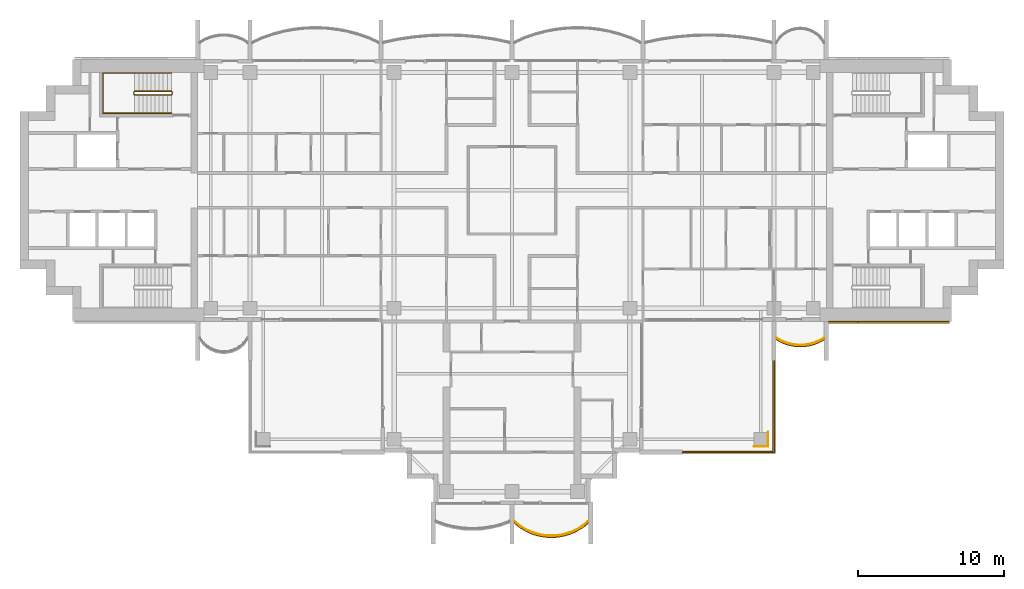
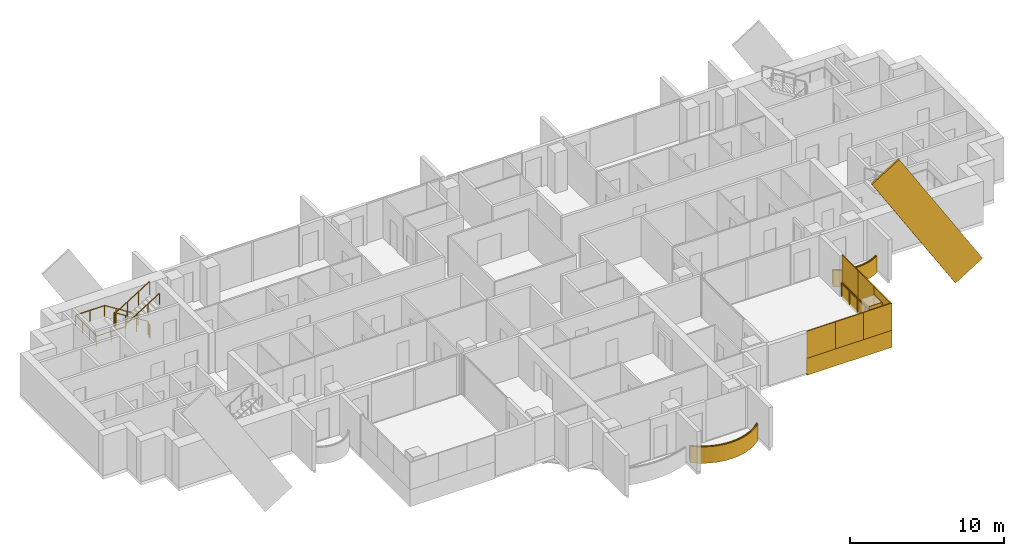
# One storey, part 16 of 18: 12 coverings, 5 railings.
"""IFC4 building model written with IfcOpenShell, lengths in metres."""

from ifc_helpers import new_model, si_unit, direction, frame, origin, origin_2d, place, context, subcontext, project, spatial, polyline, rectangle, outline, extrude, material, layer, layer_set, material_profile, profile_set, type_object, element, save


model = new_model("IFC4")

# Units and contexts
model_context = context("Model", 3, precision=1e-05, world=origin(), true_north=direction((0.0, 1.0)))
body_context = subcontext(model_context, "Body", "Model", "MODEL_VIEW")
ifc_project = project(units=[si_unit("LENGTHUNIT", "METRE"), si_unit("AREAUNIT", "SQUARE_METRE"), si_unit("VOLUMEUNIT", "CUBIC_METRE"), si_unit("PLANEANGLEUNIT", "RADIAN"), si_unit("MASSUNIT", "GRAM", prefix="KILO")], contexts=[model_context])

# Site, building, storey
site_placement = place(None, origin())
site = spatial("IfcSite", under=ifc_project, at=site_placement, CompositionType="ELEMENT")
building_placement = place(site_placement, origin())
building = spatial("IfcBuilding", under=site, at=building_placement, Name="Perihelion Cross Residences", CompositionType="ELEMENT")
storey_placement = place(building_placement, frame((0.0, 0.0, 219.10009765625)))
storey = spatial("IfcBuildingStorey", under=building, at=storey_placement, Name="L55", CompositionType="ELEMENT", Elevation=219.10009765625)

# Coverings
ifc_material_1 = material(Name="Bronze anodised aluminium", Category="aluminium")
ifc_layer_1 = layer(ifc_material_1, 0.070068359375)
ifc_layer_set_1 = layer_set([ifc_layer_1], Name="Balcony fascia 1300")
covering_type_1 = type_object("IfcCoveringType", Name="Balcony fascia 1300", PredefinedType="CLADDING", material=ifc_layer_set_1)
covering_1_placement = place(storey_placement, frame((0.0, 0.0, -0.2001953125)))
element("IfcCovering", 1, at=covering_1_placement, inside=storey, type_object=covering_type_1, Name="Fascia BF1 L55 south tip south bay 2", PredefinedType="CLADDING", context=body_context, shape_type="SweptSolid", body=[
    extrude(outline(polyline([(0.53515625, -23.197509765625), (0.96826171875, -23.455078125), (1.401123046875, -23.642578125), (1.833984375, -23.7705078125), (2.26708984375, -23.845458984375), (2.699951171875, -23.8701171875), (3.133056640625, -23.845458984375), (3.56591796875, -23.7705078125), (3.998779296875, -23.642578125), (4.431884765625, -23.455078125), (4.86474609375, -23.197509765625), (5.25, -22.8896484375), (5.25, -22.800048828125), (4.824951171875, -23.14013671875), (4.39990234375, -23.392578125), (3.97509765625, -23.57666015625), (3.550048828125, -23.702392578125), (3.125, -23.77587890625), (2.699951171875, -23.800048828125), (2.27490234375, -23.77587890625), (1.85009765625, -23.702392578125), (1.425048828125, -23.57666015625), (1.0, -23.392578125), (0.574951171875, -23.14013671875), (0.14990234375, -22.800048828125), (0.14990234375, -22.8896484375), (0.53515625, -23.197509765625)])), origin(), (0.0, 0.0, 1.0), 1.300048828125),
])
covering_2_placement = place(storey_placement, frame((0.0, 0.0, -0.2001953125)))
element("IfcCovering", 2, at=covering_2_placement, inside=storey, type_object=covering_type_1, Name="Fascia BF1 L55 east side south bay 2", PredefinedType="CLADDING", context=body_context, shape_type="SweptSolid", body=[
    extrude(outline(polyline([(18.486328125, -10.4716796875), (18.861572265625, -10.62158203125), (19.237060546875, -10.717529296875), (19.6123046875, -10.76416015625), (19.987548828125, -10.76416015625), (20.363037109375, -10.717529296875), (20.73828125, -10.62158203125), (21.11376953125, -10.4716796875), (21.449951171875, -10.280517578125), (21.449951171875, -10.199951171875), (21.083251953125, -10.40869140625), (20.716552734375, -10.55517578125), (20.35009765625, -10.648681640625), (19.9833984375, -10.6943359375), (19.61669921875, -10.6943359375), (19.25, -10.648681640625), (18.88330078125, -10.55517578125), (18.5166015625, -10.40869140625), (18.14990234375, -10.199951171875), (18.14990234375, -10.280517578125), (18.486328125, -10.4716796875)])), origin(), (0.0, 0.0, 1.0), 1.300048828125),
])

# Railings
ifc_material_2 = material(Name="Bronze anodised aluminium", Category="aluminium")
railing_type_1 = type_object("IfcRailingType", Name="Balcony guard 1100", PredefinedType="GUARDRAIL", material=ifc_material_2)
railing_1_placement = place(storey_placement, frame((0.175048828125, -22.739990234375, 0.0)))
element("IfcRailing", 3, at=railing_1_placement, inside=storey, type_object=railing_type_1, Name="Guard GU1 L55 south tip south bay 2 balcony", PredefinedType="GUARDRAIL", context=body_context, shape_type="SweptSolid", body=[
    extrude(rectangle(XDim=0.048095703125, YDim=0.048095703125, at=origin_2d()), frame((0.0, 0.0, 1.076171875), z_axis=(0.761778647315, -0.647837396648, 0.0), x_axis=(0.647837396648, 0.761778647315, 0.0)), (0.0, 0.0, 1.0), 0.52490234375),
    extrude(rectangle(XDim=0.048095703125, YDim=0.048095703125, at=origin_2d()), frame((0.39990234375, -0.340087890625, 1.076171875), z_axis=(0.859576918062, -0.511006381501, 0.0), x_axis=(0.511006381501, 0.859576918062, 0.0)), (0.0, 0.0, 1.0), 0.494384765625),
    extrude(rectangle(XDim=0.048095703125, YDim=0.048095703125, at=origin_2d()), frame((0.824951171875, -0.5927734375, 1.076171875), z_axis=(0.917831080218, -0.396971167952, 0.0), x_axis=(0.396971167952, 0.917831080218, 0.0)), (0.0, 0.0, 1.0), 0.463134765625),
    extrude(rectangle(XDim=0.048095703125, YDim=0.048095703125, at=origin_2d()), frame((1.25, -0.776611328125, 1.076171875), z_axis=(0.958925815697, -0.283656975924, 0.0), x_axis=(0.283656975924, 0.958925815697, 0.0)), (0.0, 0.0, 1.0), 0.443359375),
    extrude(rectangle(XDim=0.048095703125, YDim=0.048095703125, at=origin_2d()), frame((1.675048828125, -0.90234375, 1.076171875), z_axis=(0.985365142702, -0.170456843651, 0.0), x_axis=(0.170456843651, 0.985365142702, 0.0)), (0.0, 0.0, 1.0), 0.43115234375),
    extrude(rectangle(XDim=0.048095703125, YDim=0.048095703125, at=origin_2d()), frame((2.099853515625, -0.975830078125, 1.076171875), z_axis=(0.998387160354, -0.056772159032, 0.0), x_axis=(0.056772159032, 0.998387160354, 0.0)), (0.0, 0.0, 1.0), 0.42578125),
    extrude(rectangle(XDim=0.048095703125, YDim=0.048095703125, at=origin_2d()), frame((2.52490234375, -1.0, 1.076171875), z_axis=(0.998387160354, 0.056772159032, 0.0), x_axis=(-0.056772159032, 0.998387160354, 0.0)), (0.0, 0.0, 1.0), 0.42578125),
    extrude(rectangle(XDim=0.048095703125, YDim=0.048095703125, at=origin_2d()), frame((2.949951171875, -0.975830078125, 1.076171875), z_axis=(0.985381583142, 0.17036177859, 0.0), x_axis=(-0.17036177859, 0.985381583142, 0.0)), (0.0, 0.0, 1.0), 0.431396484375),
    extrude(rectangle(XDim=0.048095703125, YDim=0.048095703125, at=origin_2d()), frame((3.375, -0.90234375, 1.076171875), z_axis=(0.958925815697, 0.283656975924, 0.0), x_axis=(-0.283656975924, 0.958925815697, 0.0)), (0.0, 0.0, 1.0), 0.443359375),
    extrude(rectangle(XDim=0.048095703125, YDim=0.048095703125, at=origin_2d()), frame((3.800048828125, -0.776611328125, 1.076171875), z_axis=(0.917747942671, 0.397163333811, 0.0), x_axis=(-0.397163333811, 0.917747942671, 0.0)), (0.0, 0.0, 1.0), 0.462890625),
    extrude(rectangle(XDim=0.048095703125, YDim=0.048095703125, at=origin_2d()), frame((4.224853515625, -0.5927734375, 1.076171875), z_axis=(0.859576918062, 0.511006381501, 0.0), x_axis=(-0.511006381501, 0.859576918062, 0.0)), (0.0, 0.0, 1.0), 0.494384765625),
    extrude(rectangle(XDim=0.048095703125, YDim=0.048095703125, at=origin_2d()), frame((4.64990234375, -0.340087890625, 1.076171875), z_axis=(0.761973728849, 0.647607934281, 0.0), x_axis=(-0.647607934281, 0.761973728849, 0.0)), (0.0, 0.0, 1.0), 0.525146484375),
    extrude(rectangle(XDim=0.0419921875, YDim=0.0419921875, at=origin_2d()), origin(), (0.0, 0.0, 1.0), 1.052001953125),
    extrude(rectangle(XDim=0.0419921875, YDim=0.0419921875, at=origin_2d()), frame((0.39990234375, -0.340087890625, 0.0)), (0.0, 0.0, 1.0), 1.052001953125),
    extrude(rectangle(XDim=0.0419921875, YDim=0.0419921875, at=origin_2d()), frame((0.824951171875, -0.5927734375, 0.0)), (0.0, 0.0, 1.0), 1.052001953125),
    extrude(rectangle(XDim=0.0419921875, YDim=0.0419921875, at=origin_2d()), frame((1.25, -0.776611328125, 0.0)), (0.0, 0.0, 1.0), 1.052001953125),
    extrude(rectangle(XDim=0.0419921875, YDim=0.0419921875, at=origin_2d()), frame((1.675048828125, -0.90234375, 0.0)), (0.0, 0.0, 1.0), 1.052001953125),
    extrude(rectangle(XDim=0.0419921875, YDim=0.0419921875, at=origin_2d()), frame((2.099853515625, -0.975830078125, 0.0)), (0.0, 0.0, 1.0), 1.052001953125),
    extrude(rectangle(XDim=0.0419921875, YDim=0.0419921875, at=origin_2d()), frame((2.52490234375, -1.0, 0.0)), (0.0, 0.0, 1.0), 1.052001953125),
    extrude(rectangle(XDim=0.0419921875, YDim=0.0419921875, at=origin_2d()), frame((2.949951171875, -0.975830078125, 0.0)), (0.0, 0.0, 1.0), 1.052001953125),
    extrude(rectangle(XDim=0.0419921875, YDim=0.0419921875, at=origin_2d()), frame((3.375, -0.90234375, 0.0)), (0.0, 0.0, 1.0), 1.052001953125),
    extrude(rectangle(XDim=0.0419921875, YDim=0.0419921875, at=origin_2d()), frame((3.800048828125, -0.776611328125, 0.0)), (0.0, 0.0, 1.0), 1.052001953125),
    extrude(rectangle(XDim=0.0419921875, YDim=0.0419921875, at=origin_2d()), frame((4.224853515625, -0.5927734375, 0.0)), (0.0, 0.0, 1.0), 1.052001953125),
    extrude(rectangle(XDim=0.0419921875, YDim=0.0419921875, at=origin_2d()), frame((4.64990234375, -0.340087890625, 0.0)), (0.0, 0.0, 1.0), 1.052001953125),
    extrude(rectangle(XDim=0.0419921875, YDim=0.0419921875, at=origin_2d()), frame((5.050048828125, 0.0, 0.0)), (0.0, 0.0, 1.0), 1.052001953125),
])
railing_2_placement = place(storey_placement, frame((18.175048828125, -10.139892578125, 0.0)))
element("IfcRailing", 4, at=railing_2_placement, inside=storey, type_object=railing_type_1, Name="Guard GU1 L55 east side south bay 2 balcony", PredefinedType="GUARDRAIL", context=body_context, shape_type="SweptSolid", body=[
    extrude(rectangle(XDim=0.048095703125, YDim=0.048095703125, at=origin_2d()), frame((0.0, 0.0, 1.076171875), z_axis=(0.853266756821, -0.52147467983, 0.0), x_axis=(0.52147467983, 0.853266756821, 0.0)), (0.0, 0.0, 1.0), 0.400390625),
    extrude(rectangle(XDim=0.048095703125, YDim=0.048095703125, at=origin_2d()), frame((0.341552734375, -0.208740234375, 1.076171875), z_axis=(0.928647151248, -0.37096424151, 0.0), x_axis=(0.37096424151, 0.928647151248, 0.0)), (0.0, 0.0, 1.0), 0.394775390625),
    extrude(rectangle(XDim=0.048095703125, YDim=0.048095703125, at=origin_2d()), frame((0.708251953125, -0.355224609375, 1.076171875), z_axis=(0.968993337782, -0.247086849781, 0.0), x_axis=(0.247086849781, 0.968993337782, 0.0)), (0.0, 0.0, 1.0), 0.37841796875),
    extrude(rectangle(XDim=0.048095703125, YDim=0.048095703125, at=origin_2d()), frame((1.074951171875, -0.44873046875, 1.076171875), z_axis=(0.992338742457, -0.123546834114, 0.0), x_axis=(0.123546834114, 0.992338742457, 0.0)), (0.0, 0.0, 1.0), 0.36962890625),
    extrude(rectangle(XDim=0.048095703125, YDim=0.048095703125, at=origin_2d()), frame((1.441650390625, -0.494384765625, 1.076171875), z_axis=(1.0, 0.0, 0.0), x_axis=(0.0, 1.0, 0.0)), (0.0, 0.0, 1.0), 0.36669921875),
    extrude(rectangle(XDim=0.048095703125, YDim=0.048095703125, at=origin_2d()), frame((1.808349609375, -0.494384765625, 1.076171875), z_axis=(0.992338742457, 0.123546834114, 0.0), x_axis=(-0.123546834114, 0.992338742457, 0.0)), (0.0, 0.0, 1.0), 0.36962890625),
    extrude(rectangle(XDim=0.048095703125, YDim=0.048095703125, at=origin_2d()), frame((2.175048828125, -0.44873046875, 1.076171875), z_axis=(0.968953914071, 0.247241405123, 0.0), x_axis=(-0.247241405123, 0.968953914071, 0.0)), (0.0, 0.0, 1.0), 0.378173828125),
    extrude(rectangle(XDim=0.048095703125, YDim=0.048095703125, at=origin_2d()), frame((2.54150390625, -0.355224609375, 1.076171875), z_axis=(0.928647151248, 0.37096424151, 0.0), x_axis=(-0.37096424151, 0.928647151248, 0.0)), (0.0, 0.0, 1.0), 0.394775390625),
    extrude(rectangle(XDim=0.048095703125, YDim=0.048095703125, at=origin_2d()), frame((2.908203125, -0.208740234375, 1.076171875), z_axis=(0.853432484338, 0.521203410078, 0.0), x_axis=(-0.521203410078, 0.853432484338, 0.0)), (0.0, 0.0, 1.0), 0.400390625),
    extrude(rectangle(XDim=0.0419921875, YDim=0.0419921875, at=origin_2d()), origin(), (0.0, 0.0, 1.0), 1.052001953125),
    extrude(rectangle(XDim=0.0419921875, YDim=0.0419921875, at=origin_2d()), frame((0.341552734375, -0.208740234375, 0.0)), (0.0, 0.0, 1.0), 1.052001953125),
    extrude(rectangle(XDim=0.0419921875, YDim=0.0419921875, at=origin_2d()), frame((0.708251953125, -0.355224609375, 0.0)), (0.0, 0.0, 1.0), 1.052001953125),
    extrude(rectangle(XDim=0.0419921875, YDim=0.0419921875, at=origin_2d()), frame((1.074951171875, -0.44873046875, 0.0)), (0.0, 0.0, 1.0), 1.052001953125),
    extrude(rectangle(XDim=0.0419921875, YDim=0.0419921875, at=origin_2d()), frame((1.441650390625, -0.494384765625, 0.0)), (0.0, 0.0, 1.0), 1.052001953125),
    extrude(rectangle(XDim=0.0419921875, YDim=0.0419921875, at=origin_2d()), frame((1.808349609375, -0.494384765625, 0.0)), (0.0, 0.0, 1.0), 1.052001953125),
    extrude(rectangle(XDim=0.0419921875, YDim=0.0419921875, at=origin_2d()), frame((2.175048828125, -0.44873046875, 0.0)), (0.0, 0.0, 1.0), 1.052001953125),
    extrude(rectangle(XDim=0.0419921875, YDim=0.0419921875, at=origin_2d()), frame((2.54150390625, -0.355224609375, 0.0)), (0.0, 0.0, 1.0), 1.052001953125),
    extrude(rectangle(XDim=0.0419921875, YDim=0.0419921875, at=origin_2d()), frame((2.908203125, -0.208740234375, 0.0)), (0.0, 0.0, 1.0), 1.052001953125),
    extrude(rectangle(XDim=0.0419921875, YDim=0.0419921875, at=origin_2d()), frame((3.25, 0.0, 0.0)), (0.0, 0.0, 1.0), 1.052001953125),
])
railing_3_placement = place(storey_placement, frame((17.93994140625, -11.739990234375, 0.0)))
element("IfcRailing", 5, at=railing_3_placement, inside=storey, type_object=railing_type_1, Name="Guard GU1 L55 pocket south-east 1", PredefinedType="GUARDRAIL", context=body_context, shape_type="SweptSolid", body=[
    extrude(rectangle(XDim=0.048095703125, YDim=0.048095703125, at=origin_2d()), frame((0.0, 0.0, 1.076171875), z_axis=(0.0, -1.0, 0.0), x_axis=(1.0, 0.0, 0.0)), (0.0, 0.0, 1.0), 6.199951171875),
    extrude(rectangle(XDim=0.048095703125, YDim=0.048095703125, at=origin_2d()), frame((0.0, -6.199951171875, 1.076171875), z_axis=(-1.0, 0.0, 0.0), x_axis=(0.0, -1.0, 0.0)), (0.0, 0.0, 1.0), 6.199951171875),
    extrude(rectangle(XDim=0.0419921875, YDim=0.0419921875, at=origin_2d()), origin(), (0.0, 0.0, 1.0), 1.052001953125),
    extrude(rectangle(XDim=0.0419921875, YDim=0.0419921875, at=origin_2d()), frame((0.0, -1.033203125, 0.0)), (0.0, 0.0, 1.0), 1.052001953125),
    extrude(rectangle(XDim=0.0419921875, YDim=0.0419921875, at=origin_2d()), frame((0.0, -2.066650390625, 0.0)), (0.0, 0.0, 1.0), 1.052001953125),
    extrude(rectangle(XDim=0.0419921875, YDim=0.0419921875, at=origin_2d()), frame((0.0, -3.10009765625, 0.0)), (0.0, 0.0, 1.0), 1.052001953125),
    extrude(rectangle(XDim=0.0419921875, YDim=0.0419921875, at=origin_2d()), frame((0.0, -4.13330078125, 0.0)), (0.0, 0.0, 1.0), 1.052001953125),
    extrude(rectangle(XDim=0.0419921875, YDim=0.0419921875, at=origin_2d()), frame((0.0, -5.16650390625, 0.0)), (0.0, 0.0, 1.0), 1.052001953125),
    extrude(rectangle(XDim=0.0419921875, YDim=0.0419921875, at=origin_2d()), frame((0.0, -6.199951171875, 0.0)), (0.0, 0.0, 1.0), 1.052001953125),
    extrude(rectangle(XDim=0.0419921875, YDim=0.0419921875, at=origin_2d()), frame((-1.033203125, -6.199951171875, 0.0)), (0.0, 0.0, 1.0), 1.052001953125),
    extrude(rectangle(XDim=0.0419921875, YDim=0.0419921875, at=origin_2d()), frame((-2.066650390625, -6.199951171875, 0.0)), (0.0, 0.0, 1.0), 1.052001953125),
    extrude(rectangle(XDim=0.0419921875, YDim=0.0419921875, at=origin_2d()), frame((-3.10009765625, -6.199951171875, 0.0)), (0.0, 0.0, 1.0), 1.052001953125),
    extrude(rectangle(XDim=0.0419921875, YDim=0.0419921875, at=origin_2d()), frame((-4.13330078125, -6.199951171875, 0.0)), (0.0, 0.0, 1.0), 1.052001953125),
    extrude(rectangle(XDim=0.0419921875, YDim=0.0419921875, at=origin_2d()), frame((-5.16650390625, -6.199951171875, 0.0)), (0.0, 0.0, 1.0), 1.052001953125),
    extrude(rectangle(XDim=0.0419921875, YDim=0.0419921875, at=origin_2d()), frame((-6.199951171875, -6.199951171875, 0.0)), (0.0, 0.0, 1.0), 1.052001953125),
])

# Coverings
ifc_material_3 = material(Name="Bronze anodised aluminium", Category="aluminium")
ifc_material_profile = material_profile(ifc_material_3, rectangle(XDim=0.125, YDim=2.39990234375, at=origin_2d()), Name="Bronze cladding band 2400")
ifc_profile_set = profile_set([ifc_material_profile], Name="Bronze anodised aluminium")
covering_type_2 = type_object("IfcCoveringType", Name="Bronze cladding band 2400", PredefinedType="CLADDING", material=ifc_profile_set)
covering_3_placement = place(storey_placement, frame((29.0322265625, -9.0625, -3.438232421875), z_axis=(-0.529924684379, 0.0, 0.848044709249), x_axis=(0.0, -1.0, 0.0)))
element("IfcCovering", 6, at=covering_3_placement, inside=storey, type_object=covering_type_2, Name="Core cladding band, east core", PredefinedType="CLADDING", context=body_context, shape_type="SweptSolid", body=[
    extrude(rectangle(XDim=0.125, YDim=2.39990234375, at=origin_2d()), origin(), (0.0, 0.0, 1.0), 11.82177734375),
])
ifc_material_4 = material(Name="Bronze anodised aluminium", Category="aluminium")
ifc_layer_2 = layer(ifc_material_4, 0.0400390625)
ifc_layer_set_2 = layer_set([ifc_layer_2], Name="Bronze column casing 40")
covering_type_3 = type_object("IfcCoveringType", Name="Bronze column casing 40", PredefinedType="CLADDING", material=ifc_layer_set_2)
covering_4_placement = place(storey_placement, frame((17.594970703125, -17.10009765625, -0.25), z_axis=(0.0, 0.0, 1.0), x_axis=(1.0, 0.0, 0.0)))
element("IfcCovering", 7, at=covering_4_placement, inside=storey, type_object=covering_type_3, Name="Cladding CC1 L55 casing east-west no. 2", PredefinedType="CLADDING", context=body_context, shape_type="SweptSolid", body=[
    extrude(rectangle(XDim=0.0400390625, YDim=1.030029296875, at=origin_2d()), origin(), (0.0, 0.0, 1.0), 3.449951171875),
])
covering_5_placement = place(storey_placement, frame((17.10009765625, -17.594970703125, -0.25), z_axis=(0.0, 0.0, 1.0), x_axis=(1.0, 0.0, 0.0)))
element("IfcCovering", 8, at=covering_5_placement, inside=storey, type_object=covering_type_3, Name="Cladding CC1 L55 casing north-south no. 2", PredefinedType="CLADDING", context=body_context, shape_type="SweptSolid", body=[
    extrude(rectangle(XDim=0.949951171875, YDim=0.0400390625, at=origin_2d()), origin(), (0.0, 0.0, 1.0), 3.449951171875),
])
ifc_material_5 = material(Name="Bronze anodised aluminium", Category="aluminium")
ifc_layer_3 = layer(ifc_material_5, 0.070068359375)
ifc_layer_set_3 = layer_set([ifc_layer_3], Name="Pocket fascia 1350")
covering_type_4 = type_object("IfcCoveringType", Name="Pocket fascia 1350", PredefinedType="CLADDING", material=ifc_layer_set_3)
covering_6_placement = place(storey_placement, frame((0.0, 0.0, -0.25)))
element("IfcCovering", 9, at=covering_6_placement, inside=storey, type_object=covering_type_4, Name="Fascia BF2 L55 pocket south-east 3", PredefinedType="CLADDING", context=body_context, shape_type="SweptSolid", body=[
    extrude(outline(polyline([(18.070068359375, -18.070068359375), (18.070068359375, -11.699951171875), (18.0, -11.699951171875), (18.0, -18.0), (11.699951171875, -18.0), (11.699951171875, -18.070068359375), (18.070068359375, -18.070068359375)])), origin(), (0.0, 0.0, 1.0), 1.349853515625),
])
ifc_material_6 = material(Name="Bronze perforated aluminium", Category="aluminium")
ifc_layer_4 = layer(ifc_material_6, 0.070068359375)
ifc_layer_set_4 = layer_set([ifc_layer_4], Name="Pocket solar screen, bronze perforated")
covering_type_5 = type_object("IfcCoveringType", Name="Pocket solar screen, bronze perforated", PredefinedType="CLADDING", material=ifc_layer_set_4)
covering_7_placement = place(storey_placement, frame((0.0, 0.0, 1.099853515625)))
element("IfcCovering", 10, at=covering_7_placement, inside=storey, type_object=covering_type_5, Name="Solar screen PS1 L55 pocket south-east no. 1", PredefinedType="CLADDING", context=body_context, shape_type="SweptSolid", body=[
    extrude(outline(polyline([(18.070068359375, -18.0), (18.070068359375, -15.89990234375), (18.0, -15.89990234375), (18.0, -18.0), (18.070068359375, -18.0)])), origin(), (0.0, 0.0, 1.0), 2.150146484375),
])
covering_8_placement = place(storey_placement, frame((0.0, 0.0, 1.099853515625)))
element("IfcCovering", 11, at=covering_8_placement, inside=storey, type_object=covering_type_5, Name="Solar screen PS1 L55 pocket south-east no. 2", PredefinedType="CLADDING", context=body_context, shape_type="SweptSolid", body=[
    extrude(outline(polyline([(18.070068359375, -15.89990234375), (18.070068359375, -13.800048828125), (18.0, -13.800048828125), (18.0, -15.89990234375), (18.070068359375, -15.89990234375)])), origin(), (0.0, 0.0, 1.0), 2.150146484375),
])
covering_9_placement = place(storey_placement, frame((0.0, 0.0, 1.099853515625)))
element("IfcCovering", 12, at=covering_9_placement, inside=storey, type_object=covering_type_5, Name="Solar screen PS1 L55 pocket south-east no. 3", PredefinedType="CLADDING", context=body_context, shape_type="SweptSolid", body=[
    extrude(outline(polyline([(18.070068359375, -13.800048828125), (18.070068359375, -11.699951171875), (18.0, -11.699951171875), (18.0, -13.800048828125), (18.070068359375, -13.800048828125)])), origin(), (0.0, 0.0, 1.0), 2.150146484375),
])
covering_10_placement = place(storey_placement, frame((0.0, 0.0, 1.099853515625)))
element("IfcCovering", 13, at=covering_10_placement, inside=storey, type_object=covering_type_5, Name="Solar screen PS1 L55 pocket south-east no. 4", PredefinedType="CLADDING", context=body_context, shape_type="SweptSolid", body=[
    extrude(outline(polyline([(13.8232421875, -18.070068359375), (13.8232421875, -18.0), (11.699951171875, -18.0), (11.699951171875, -18.070068359375), (13.8232421875, -18.070068359375)])), origin(), (0.0, 0.0, 1.0), 2.150146484375),
])
covering_11_placement = place(storey_placement, frame((0.0, 0.0, 1.099853515625)))
element("IfcCovering", 14, at=covering_11_placement, inside=storey, type_object=covering_type_5, Name="Solar screen PS1 L55 pocket south-east no. 5", PredefinedType="CLADDING", context=body_context, shape_type="SweptSolid", body=[
    extrude(outline(polyline([(15.94677734375, -18.070068359375), (15.94677734375, -18.0), (13.8232421875, -18.0), (13.8232421875, -18.070068359375), (15.94677734375, -18.070068359375)])), origin(), (0.0, 0.0, 1.0), 2.150146484375),
])
covering_12_placement = place(storey_placement, frame((0.0, 0.0, 1.099853515625)))
element("IfcCovering", 15, at=covering_12_placement, inside=storey, type_object=covering_type_5, Name="Solar screen PS1 L55 pocket south-east no. 6", PredefinedType="CLADDING", context=body_context, shape_type="SweptSolid", body=[
    extrude(outline(polyline([(18.070068359375, -18.070068359375), (18.070068359375, -18.0), (15.94677734375, -18.0), (15.94677734375, -18.070068359375), (18.070068359375, -18.070068359375)])), origin(), (0.0, 0.0, 1.0), 2.150146484375),
])

# Railings
ifc_material_7 = material(Name="Stainless steel", Category="steel")
railing_type_2 = type_object("IfcRailingType", Name="Stair guard 1100", PredefinedType="GUARDRAIL", material=ifc_material_7)
railing_4_placement = place(storey_placement, frame((-23.35009765625, 6.60009765625, 0.0)))
element("IfcRailing", 16, at=railing_4_placement, inside=storey, type_object=railing_type_2, Name="L55 ST-W1 stair guard 1", PredefinedType="GUARDRAIL", context=body_context, shape_type="SweptSolid", body=[
    extrude(rectangle(XDim=0.048095703125, YDim=0.048095703125, at=origin_2d()), frame((0.0, 0.0, 1.076171875), z_axis=(0.0, 1.0, 0.0), x_axis=(-1.0, 0.0, 0.0)), (0.0, 0.0, 1.0), 0.14990234375),
    extrude(rectangle(XDim=0.048095703125, YDim=0.048095703125, at=origin_2d()), frame((0.0, 0.14990234375, 1.076171875), z_axis=(-0.264179342666, 0.265474339444, 0.927217692888), x_axis=(-0.708833529934, -0.705375805398, 0.0)), (0.0, 0.0, 1.0), 0.1884765625),
    extrude(rectangle(XDim=0.048095703125, YDim=0.048095703125, at=origin_2d()), frame((-0.0498046875, 0.199951171875, 1.2509765625), z_axis=(-0.847970611238, 0.0, 0.530043245855), x_axis=(0.0, -1.0, 0.0)), (0.0, 0.0, 1.0), 2.971923828125),
    extrude(rectangle(XDim=0.048095703125, YDim=0.048095703125, at=origin_2d()), frame((-2.56982421875, 0.199951171875, 2.826171875), z_axis=(-0.707106781187, -0.707106781187, 0.0), x_axis=(0.707106781187, -0.707106781187, 0.0)), (0.0, 0.0, 1.0), 0.07080078125),
    extrude(rectangle(XDim=0.048095703125, YDim=0.048095703125, at=origin_2d()), frame((-2.619873046875, 0.14990234375, 2.826171875), z_axis=(0.0, -1.0, 0.0), x_axis=(1.0, 0.0, 0.0)), (0.0, 0.0, 1.0), 0.14990234375),
    extrude(rectangle(XDim=0.048095703125, YDim=0.048095703125, at=origin_2d()), frame((-2.619873046875, 0.0, 2.826171875), z_axis=(0.265383341853, -0.265383341853, 0.926899867156), x_axis=(0.707106781187, 0.707106781187, 0.0)), (0.0, 0.0, 1.0), 0.1884765625),
    extrude(rectangle(XDim=0.048095703125, YDim=0.048095703125, at=origin_2d()), frame((-2.56982421875, -0.050048828125, 3.0009765625), z_axis=(0.847970611238, 0.0, 0.530043245855), x_axis=(0.0, 1.0, 0.0)), (0.0, 0.0, 1.0), 2.971923828125),
    extrude(rectangle(XDim=0.0419921875, YDim=0.0419921875, at=origin_2d()), origin(), (0.0, 0.0, 1.0), 1.052001953125),
    extrude(rectangle(XDim=0.0419921875, YDim=0.0419921875, at=origin_2d()), frame((0.0, 0.14990234375, 0.0)), (0.0, 0.0, 1.0), 1.052001953125),
    extrude(rectangle(XDim=0.0419921875, YDim=0.0419921875, at=origin_2d()), frame((-0.0498046875, 0.199951171875, 0.1748046875)), (0.0, 0.0, 1.0), 1.052001953125),
    extrude(rectangle(XDim=0.0419921875, YDim=0.0419921875, at=origin_2d()), frame((-0.889892578125, 0.199951171875, 0.699951171875)), (0.0, 0.0, 1.0), 1.052001953125),
    extrude(rectangle(XDim=0.0419921875, YDim=0.0419921875, at=origin_2d()), frame((-1.729736328125, 0.199951171875, 1.224853515625)), (0.0, 0.0, 1.0), 1.052001953125),
    extrude(rectangle(XDim=0.0419921875, YDim=0.0419921875, at=origin_2d()), frame((-2.56982421875, 0.199951171875, 1.75)), (0.0, 0.0, 1.0), 1.052001953125),
    extrude(rectangle(XDim=0.0419921875, YDim=0.0419921875, at=origin_2d()), frame((-2.619873046875, 0.14990234375, 1.75)), (0.0, 0.0, 1.0), 1.052001953125),
    extrude(rectangle(XDim=0.0419921875, YDim=0.0419921875, at=origin_2d()), frame((-2.619873046875, 0.0, 1.75)), (0.0, 0.0, 1.0), 1.052001953125),
    extrude(rectangle(XDim=0.0419921875, YDim=0.0419921875, at=origin_2d()), frame((-2.56982421875, -0.050048828125, 1.9248046875)), (0.0, 0.0, 1.0), 1.052001953125),
    extrude(rectangle(XDim=0.0419921875, YDim=0.0419921875, at=origin_2d()), frame((-1.729736328125, -0.050048828125, 2.449951171875)), (0.0, 0.0, 1.0), 1.052001953125),
    extrude(rectangle(XDim=0.0419921875, YDim=0.0419921875, at=origin_2d()), frame((-0.889892578125, -0.050048828125, 2.974853515625)), (0.0, 0.0, 1.0), 1.052001953125),
    extrude(rectangle(XDim=0.0419921875, YDim=0.0419921875, at=origin_2d()), frame((-0.0498046875, -0.050048828125, 3.5)), (0.0, 0.0, 1.0), 1.052001953125),
])
ifc_material_8 = material(Name="Stainless steel", Category="steel")
railing_type_3 = type_object("IfcRailingType", Name="Stair handrail 900", PredefinedType="HANDRAIL", material=ifc_material_8)
railing_5_placement = place(storey_placement, frame((-23.39990234375, 8.050048828125, 0.1748046875)))
element("IfcRailing", 17, at=railing_5_placement, inside=storey, type_object=railing_type_3, Name="L55 ST-W1 stair handrail 1", PredefinedType="HANDRAIL", context=body_context, shape_type="SweptSolid", body=[
    extrude(rectangle(XDim=0.048095703125, YDim=0.048095703125, at=origin_2d()), frame((0.0, 0.0, 0.8759765625), z_axis=(-0.847970611238, 0.0, 0.530043245855), x_axis=(0.0, -1.0, 0.0)), (0.0, 0.0, 1.0), 2.971923828125),
    extrude(rectangle(XDim=0.048095703125, YDim=0.048095703125, at=origin_2d()), frame((-2.52001953125, 0.0, 2.451171875), z_axis=(-1.0, 0.0, 0.0), x_axis=(0.0, -1.0, 0.0)), (0.0, 0.0, 1.0), 2.18017578125),
    extrude(rectangle(XDim=0.048095703125, YDim=0.048095703125, at=origin_2d()), frame((-4.7001953125, 0.0, 2.451171875), z_axis=(0.0, -1.0, 0.0), x_axis=(1.0, 0.0, 0.0)), (0.0, 0.0, 1.0), 2.75),
    extrude(rectangle(XDim=0.048095703125, YDim=0.048095703125, at=origin_2d()), frame((-4.7001953125, -2.75, 2.451171875), z_axis=(1.0, 0.0, 0.0), x_axis=(0.0, 1.0, 0.0)), (0.0, 0.0, 1.0), 2.18017578125),
    extrude(rectangle(XDim=0.048095703125, YDim=0.048095703125, at=origin_2d()), frame((-2.52001953125, -2.75, 2.451171875), z_axis=(0.0, 0.0, 1.0), x_axis=(1.0, 0.0, 0.0)), (0.0, 0.0, 1.0), 0.1748046875),
    extrude(rectangle(XDim=0.048095703125, YDim=0.048095703125, at=origin_2d()), frame((-2.52001953125, -2.75, 2.6259765625), z_axis=(0.847970611238, 0.0, 0.530043245855), x_axis=(0.0, 1.0, 0.0)), (0.0, 0.0, 1.0), 2.971923828125),
    extrude(rectangle(XDim=0.0419921875, YDim=0.0419921875, at=origin_2d()), origin(), (0.0, 0.0, 1.0), 0.851806640625),
    extrude(rectangle(XDim=0.0419921875, YDim=0.0419921875, at=origin_2d()), frame((-0.840087890625, 0.0, 0.525146484375)), (0.0, 0.0, 1.0), 0.851806640625),
    extrude(rectangle(XDim=0.0419921875, YDim=0.0419921875, at=origin_2d()), frame((-1.679931640625, 0.0, 1.050048828125)), (0.0, 0.0, 1.0), 0.851806640625),
    extrude(rectangle(XDim=0.0419921875, YDim=0.0419921875, at=origin_2d()), frame((-2.52001953125, 0.0, 1.5751953125)), (0.0, 0.0, 1.0), 0.851806640625),
    extrude(rectangle(XDim=0.0419921875, YDim=0.0419921875, at=origin_2d()), frame((-3.610107421875, 0.0, 1.5751953125)), (0.0, 0.0, 1.0), 0.851806640625),
    extrude(rectangle(XDim=0.0419921875, YDim=0.0419921875, at=origin_2d()), frame((-4.7001953125, 0.0, 1.5751953125)), (0.0, 0.0, 1.0), 0.851806640625),
    extrude(rectangle(XDim=0.0419921875, YDim=0.0419921875, at=origin_2d()), frame((-4.7001953125, -0.916748046875, 1.5751953125)), (0.0, 0.0, 1.0), 0.851806640625),
    extrude(rectangle(XDim=0.0419921875, YDim=0.0419921875, at=origin_2d()), frame((-4.7001953125, -1.833251953125, 1.5751953125)), (0.0, 0.0, 1.0), 0.851806640625),
    extrude(rectangle(XDim=0.0419921875, YDim=0.0419921875, at=origin_2d()), frame((-4.7001953125, -2.75, 1.5751953125)), (0.0, 0.0, 1.0), 0.851806640625),
    extrude(rectangle(XDim=0.0419921875, YDim=0.0419921875, at=origin_2d()), frame((-3.610107421875, -2.75, 1.5751953125)), (0.0, 0.0, 1.0), 0.851806640625),
    extrude(rectangle(XDim=0.0419921875, YDim=0.0419921875, at=origin_2d()), frame((-2.52001953125, -2.75, 1.5751953125)), (0.0, 0.0, 1.0), 0.851806640625),
    extrude(rectangle(XDim=0.0419921875, YDim=0.0419921875, at=origin_2d()), frame((-2.52001953125, -2.75, 1.75)), (0.0, 0.0, 1.0), 0.851806640625),
    extrude(rectangle(XDim=0.0419921875, YDim=0.0419921875, at=origin_2d()), frame((-1.679931640625, -2.75, 2.275146484375)), (0.0, 0.0, 1.0), 0.851806640625),
    extrude(rectangle(XDim=0.0419921875, YDim=0.0419921875, at=origin_2d()), frame((-0.840087890625, -2.75, 2.800048828125)), (0.0, 0.0, 1.0), 0.851806640625),
    extrude(rectangle(XDim=0.0419921875, YDim=0.0419921875, at=origin_2d()), frame((0.0, -2.75, 3.3251953125)), (0.0, 0.0, 1.0), 0.851806640625),
])

save(model, "model.ifc")
